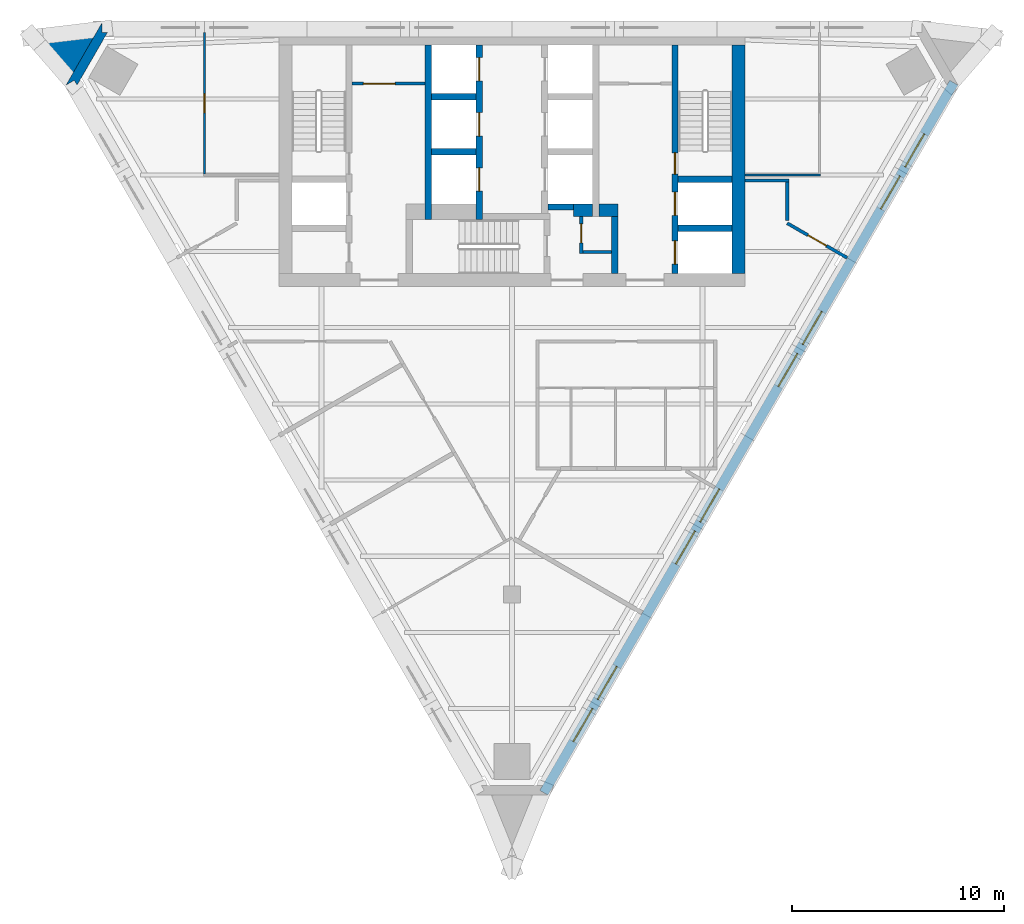
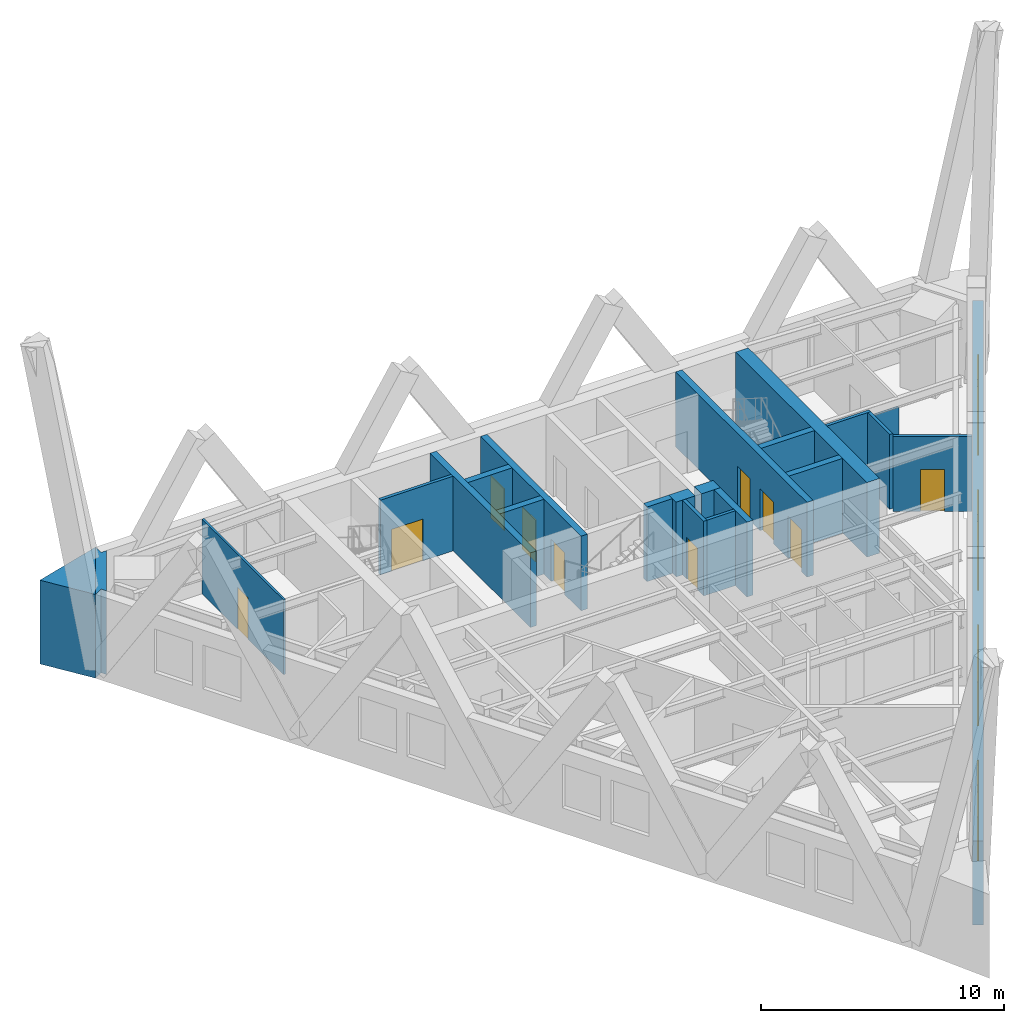
# One storey, part 4 of 6: 23 walls, 10 doors, 8 windows, 18 openings.
"""IFC4 building model written with IfcOpenShell, lengths in metres."""

from ifc_helpers import new_model, si_unit, direction, frame, frame_2d, origin, place, context, subcontext, project, spatial, polyline, rectangle, outline, extrude, material, layer, layer_set, type_object, element, fill, save


model = new_model("IFC4")

# Units and contexts
model_context = context("Model", 3, precision=1e-05, world=origin(), true_north=direction((0.0, 1.0)))
body_context = subcontext(model_context, "Body", "Model", "MODEL_VIEW")
ifc_project = project(units=[si_unit("LENGTHUNIT", "METRE"), si_unit("AREAUNIT", "SQUARE_METRE"), si_unit("VOLUMEUNIT", "CUBIC_METRE"), si_unit("PLANEANGLEUNIT", "RADIAN"), si_unit("MASSUNIT", "GRAM", prefix="KILO")], contexts=[model_context])

# Site, building, storey
site_placement = place(None, origin())
site = spatial("IfcSite", under=ifc_project, at=site_placement, CompositionType="ELEMENT")
building_placement = place(site_placement, origin())
building = spatial("IfcBuilding", under=site, at=building_placement, Name="Aloe Facet Convention Tower", CompositionType="ELEMENT")
storey_placement = place(building_placement, frame((0.0, 0.0, 180.199951171875)))
storey = spatial("IfcBuildingStorey", under=building, at=storey_placement, Name="L45", CompositionType="ELEMENT", Elevation=180.199951171875)

# Wall, opening, door
ifc_material_1 = material(Name="Concrete blockwork partition", Category="masonry")
ifc_layer_1 = layer(ifc_material_1, 0.14990234375)
ifc_layer_set_1 = layer_set([ifc_layer_1], Name="CR-W-PART150")
wall_type_1 = type_object("IfcWallType", Name="CR-W-PART150", PredefinedType="PARTITIONING", material=ifc_layer_set_1)
wall_1_placement = place(storey_placement, frame((72.449951171875, 132.125, 0.0), z_axis=(0.0, 0.0, 1.0), x_axis=(1.0, 0.0, 0.0)))
wall_1 = element("IfcWall", 1, at=wall_1_placement, inside=storey, type_object=wall_type_1, Name="Core partition L45-007", PredefinedType="PARTITIONING", context=body_context, shape_type="SweptSolid", body=[
    extrude(rectangle(XDim=3.449951171875, YDim=0.14990234375, at=frame_2d((1.72509765625, 0.0))), origin(), (0.0, 0.0, 1.0), 3.75),
])
opening_1_placement = place(wall_1_placement, frame((0.52490234375, 0.0, 0.0)))
opening_1 = element("IfcOpeningElement", 2, at=opening_1_placement, cuts=wall_1, Name="Opening L45-CD14", PredefinedType="OPENING", context=body_context, shape_type="SweptSolid", body=[
    extrude(rectangle(XDim=1.5, YDim=2.10009765625, at=frame_2d((0.75, 1.050048828125))), frame((0.0, 0.0849609375, 0.0), z_axis=(0.0, -1.0, 0.0), x_axis=(1.0, 0.0, 0.0)), (0.0, 0.0, 1.0), 0.169921875),
])
ifc_material_2 = material(Name="Steel fire-resisting door set FD60", Category="steel")
door_type_1 = type_object("IfcDoorType", Name="CR-D-REFUGE-1500-FD60-DD", OperationType="DOUBLE_DOOR_DOUBLE_SWING", PredefinedType="DOOR", material=ifc_material_2)
door_1_placement = place(opening_1_placement, origin())
door_1 = element("IfcDoor", 3, at=door_1_placement, inside=storey, type_object=door_type_1, Name="Core door L45-CD14", OperationType="DOUBLE_DOOR_DOUBLE_SWING", OverallHeight=2.10009765625, OverallWidth=1.5, PredefinedType="DOOR", context=body_context, shape_type="SweptSolid", body=[
    extrude(rectangle(XDim=1.5, YDim=2.10009765625, at=frame_2d((0.75, 1.050048828125))), frame((0.0, 0.02490234375, 0.0), z_axis=(0.0, -1.0, 0.0), x_axis=(1.0, 0.0, 0.0)), (0.0, 0.0, 1.0), 0.050048828125),
])
fill(opening_1, door_1)

wall_2_placement = place(storey_placement, frame((83.27490234375, 125.85009765625, 0.0), z_axis=(0.0, 0.0, 1.0), x_axis=(0.0, -1.0, 0.0)))
wall_2 = element("IfcWall", 4, at=wall_2_placement, inside=storey, type_object=wall_type_1, Name="Core partition L45-022", PredefinedType="PARTITIONING", context=body_context, shape_type="SweptSolid", body=[
    extrude(rectangle(XDim=1.75, YDim=0.14990234375, at=frame_2d((0.875, 0.0))), origin(), (0.0, 0.0, 1.0), 3.75),
])
opening_2_placement = place(wall_2_placement, frame((0.35009765625, 0.0, 0.0)))
opening_2 = element("IfcOpeningElement", 5, at=opening_2_placement, cuts=wall_2, Name="Opening L45-CD12", PredefinedType="OPENING", context=body_context, shape_type="SweptSolid", body=[
    extrude(rectangle(XDim=0.89990234375, YDim=2.10009765625, at=frame_2d((0.449951171875, 1.050048828125))), frame((0.0, 0.0849609375, 0.0), z_axis=(0.0, -1.0, 0.0), x_axis=(1.0, 0.0, 0.0)), (0.0, 0.0, 1.0), 0.169921875),
])
ifc_material_3 = material(Name="Steel fire-resisting door set FD60", Category="steel")
door_type_2 = type_object("IfcDoorType", Name="CR-D-REFUGE-900-FD60-SRIGHT", OperationType="SINGLE_SWING_RIGHT", PredefinedType="DOOR", material=ifc_material_3)
door_2_placement = place(opening_2_placement, origin())
door_2 = element("IfcDoor", 6, at=door_2_placement, inside=storey, type_object=door_type_2, Name="Core door L45-CD12", OperationType="SINGLE_SWING_RIGHT", OverallHeight=2.10009765625, OverallWidth=0.89990234375, PredefinedType="DOOR", context=body_context, shape_type="SweptSolid", body=[
    extrude(rectangle(XDim=0.89990234375, YDim=2.10009765625, at=frame_2d((0.449951171875, 1.050048828125))), frame((0.0, 0.02490234375, 0.0), z_axis=(0.0, -1.0, 0.0), x_axis=(1.0, 0.0, 0.0)), (0.0, 0.0, 1.0), 0.050048828125),
])
fill(opening_2, door_2)

# Walls
wall_3_placement = place(storey_placement, frame((83.35009765625, 124.175048828125, 0.0), z_axis=(0.0, 0.0, 1.0), x_axis=(1.0, 0.0, 0.0)))
element("IfcWall", 7, at=wall_3_placement, inside=storey, type_object=wall_type_1, Name="Core partition L45-023", PredefinedType="PARTITIONING", context=body_context, shape_type="SweptSolid", body=[
    extrude(rectangle(XDim=1.349853515625, YDim=0.14990234375, at=frame_2d((0.6748046875, 0.0))), origin(), (0.0, 0.0, 1.0), 3.75),
])
ifc_material_4 = material(Name="Concrete C50/60", Category="concrete")
ifc_layer_2 = layer(ifc_material_4, 0.300048828125)
ifc_layer_set_2 = layer_set([ifc_layer_2], Name="CR-W-RC300-C5060")
wall_type_2 = type_object("IfcWallType", Name="CR-W-RC300-C5060", PredefinedType="SOLIDWALL", material=ifc_layer_set_2)
wall_4_placement = place(storey_placement, frame((76.050048828125, 133.949951171875, 0.0), z_axis=(0.0, 0.0, 1.0), x_axis=(0.0, -1.0, 0.0)))
element("IfcWall", 8, at=wall_4_placement, inside=storey, type_object=wall_type_2, Name="Core wall L45-010", PredefinedType="SOLIDWALL", context=body_context, shape_type="SweptSolid", body=[
    extrude(rectangle(XDim=8.25, YDim=0.300048828125, at=frame_2d((4.125, 0.0))), origin(), (0.0, 0.0, 1.0), 3.75),
])
for number, where, z_axis, x_axis, name in (
    (9, (76.199951171875, 131.5, 0.0), (0.0, 0.0, 1.0), (1.0, 0.0, 0.0), "Core wall L45-011"),
    (10, (76.199951171875, 128.89990234375, 0.0), (0.0, 0.0, 1.0), (1.0, 0.0, 0.0), "Core wall L45-012"),
):
    element("IfcWall", number, at=place(storey_placement, frame(where, z_axis=z_axis, x_axis=x_axis)), inside=storey, type_object=wall_type_2, Name=name, PredefinedType="SOLIDWALL", context=body_context, shape_type="SweptSolid", body=[
        extrude(rectangle(XDim=2.10009765625, YDim=0.300048828125, at=frame_2d((1.050048828125, 0.0))), origin(), (0.0, 0.0, 1.0), 3.75),
    ])

# Wall, openings, doors
wall_5_placement = place(storey_placement, frame((78.449951171875, 133.949951171875, 0.0), z_axis=(0.0, 0.0, 1.0), x_axis=(0.0, -1.0, 0.0)))
wall_5 = element("IfcWall", 11, at=wall_5_placement, inside=storey, type_object=wall_type_2, Name="Core wall L45-014", PredefinedType="SOLIDWALL", context=body_context, shape_type="SweptSolid", body=[
    extrude(rectangle(XDim=8.25, YDim=0.300048828125, at=frame_2d((4.125, 0.0))), origin(), (0.0, 0.0, 1.0), 3.75),
])
opening_3_placement = place(wall_5_placement, frame((0.60009765625, 0.0, 0.0)))
opening_3 = element("IfcOpeningElement", 12, at=opening_3_placement, cuts=wall_5, Name="Opening LD-B1-L45", PredefinedType="OPENING", context=body_context, shape_type="SweptSolid", body=[
    extrude(rectangle(XDim=1.10009765625, YDim=2.10009765625, at=frame_2d((0.550048828125, 1.050048828125))), frame((0.0, 0.16015625, 0.0), z_axis=(0.0, -1.0, 0.0), x_axis=(1.0, 0.0, 0.0)), (0.0, 0.0, 1.0), 0.320068359375),
])
opening_4_placement = place(wall_5_placement, frame((3.199951171875, 0.0, 0.0)))
opening_4 = element("IfcOpeningElement", 13, at=opening_4_placement, cuts=wall_5, Name="Opening LD-B2-L45", PredefinedType="OPENING", context=body_context, shape_type="SweptSolid", body=[
    extrude(rectangle(XDim=1.10009765625, YDim=2.10009765625, at=frame_2d((0.550048828125, 1.050048828125))), frame((0.0, 0.16015625, 0.0), z_axis=(0.0, -1.0, 0.0), x_axis=(1.0, 0.0, 0.0)), (0.0, 0.0, 1.0), 0.320068359375),
])
opening_5_placement = place(wall_5_placement, frame((5.800048828125, 0.0, 0.0)))
opening_5 = element("IfcOpeningElement", 14, at=opening_5_placement, cuts=wall_5, Name="Opening LD-B3-L45", PredefinedType="OPENING", context=body_context, shape_type="SweptSolid", body=[
    extrude(rectangle(XDim=1.10009765625, YDim=2.10009765625, at=frame_2d((0.550048828125, 1.050048828125))), frame((0.0, 0.16015625, 0.0), z_axis=(0.0, -1.0, 0.0), x_axis=(1.0, 0.0, 0.0)), (0.0, 0.0, 1.0), 0.320068359375),
])
ifc_material_5 = material(Name="Stainless steel sliding landing door", Category="steel")
door_type_3 = type_object("IfcDoorType", Name="CR-LD-1100-FD60-RIGHT", OperationType="SLIDING_TO_RIGHT", PredefinedType="DOOR", material=ifc_material_5)
door_3_placement = place(opening_3_placement, origin())
door_3 = element("IfcDoor", 15, at=door_3_placement, inside=storey, type_object=door_type_3, Name="Landing door B1 L45", OperationType="SLIDING_TO_RIGHT", OverallHeight=2.10009765625, OverallWidth=1.10009765625, PredefinedType="DOOR", context=body_context, shape_type="SweptSolid", body=[
    extrude(rectangle(XDim=1.10009765625, YDim=2.10009765625, at=frame_2d((0.550048828125, 1.050048828125))), frame((0.0, 0.02490234375, 0.0), z_axis=(0.0, -1.0, 0.0), x_axis=(1.0, 0.0, 0.0)), (0.0, 0.0, 1.0), 0.050048828125),
])
fill(opening_3, door_3)
door_4_placement = place(opening_4_placement, origin())
door_4 = element("IfcDoor", 16, at=door_4_placement, inside=storey, type_object=door_type_3, Name="Landing door B2 L45", OperationType="SLIDING_TO_RIGHT", OverallHeight=2.10009765625, OverallWidth=1.10009765625, PredefinedType="DOOR", context=body_context, shape_type="SweptSolid", body=[
    extrude(rectangle(XDim=1.10009765625, YDim=2.10009765625, at=frame_2d((0.550048828125, 1.050048828125))), frame((0.0, 0.02490234375, 0.0), z_axis=(0.0, -1.0, 0.0), x_axis=(1.0, 0.0, 0.0)), (0.0, 0.0, 1.0), 0.050048828125),
])
fill(opening_4, door_4)
door_5_placement = place(opening_5_placement, origin())
door_5 = element("IfcDoor", 17, at=door_5_placement, inside=storey, type_object=door_type_3, Name="Landing door B3 L45", OperationType="SLIDING_TO_RIGHT", OverallHeight=2.10009765625, OverallWidth=1.10009765625, PredefinedType="DOOR", context=body_context, shape_type="SweptSolid", body=[
    extrude(rectangle(XDim=1.10009765625, YDim=2.10009765625, at=frame_2d((0.550048828125, 1.050048828125))), frame((0.0, 0.02490234375, 0.0), z_axis=(0.0, -1.0, 0.0), x_axis=(1.0, 0.0, 0.0)), (0.0, 0.0, 1.0), 0.050048828125),
])
fill(opening_5, door_5)

# Walls
wall_6_placement = place(storey_placement, frame((81.699951171875, 126.300048828125, 0.0), z_axis=(0.0, 0.0, 1.0), x_axis=(1.0, 0.0, 0.0)))
element("IfcWall", 18, at=wall_6_placement, inside=storey, type_object=wall_type_2, Name="Core wall L45-020", PredefinedType="SOLIDWALL", context=body_context, shape_type="SweptSolid", body=[
    extrude(rectangle(XDim=1.199951171875, YDim=0.300048828125, at=frame_2d((0.60009765625, 0.0))), origin(), (0.0, 0.0, 1.0), 3.75),
])
wall_7_placement = place(storey_placement, frame((84.85009765625, 125.85009765625, 0.0), z_axis=(0.0, 0.0, 1.0), x_axis=(0.0, -1.0, 0.0)))
element("IfcWall", 19, at=wall_7_placement, inside=storey, type_object=wall_type_2, Name="Core wall L45-027", PredefinedType="SOLIDWALL", context=body_context, shape_type="SweptSolid", body=[
    extrude(rectangle(XDim=2.7001953125, YDim=0.300048828125, at=frame_2d((1.35009765625, 0.0))), origin(), (0.0, 0.0, 1.0), 3.75),
])

# Wall, openings, doors
wall_8_placement = place(storey_placement, frame((87.699951171875, 133.949951171875, 0.0), z_axis=(0.0, 0.0, 1.0), x_axis=(0.0, -1.0, 0.0)))
wall_8 = element("IfcWall", 20, at=wall_8_placement, inside=storey, type_object=wall_type_2, Name="Core wall L45-028", PredefinedType="SOLIDWALL", context=body_context, shape_type="SweptSolid", body=[
    extrude(rectangle(XDim=10.800048828125, YDim=0.300048828125, at=frame_2d((5.39990234375, 0.0))), origin(), (0.0, 0.0, 1.0), 3.75),
])
opening_6_placement = place(wall_8_placement, frame((6.949951171875, 0.0, 0.0)))
opening_6 = element("IfcOpeningElement", 21, at=opening_6_placement, cuts=wall_8, Name="Opening LD-FF2-L45", PredefinedType="OPENING", context=body_context, shape_type="SweptSolid", body=[
    extrude(rectangle(XDim=1.10009765625, YDim=2.10009765625, at=frame_2d((0.550048828125, 1.050048828125))), frame((0.0, 0.16015625, 0.0), z_axis=(0.0, -1.0, 0.0), x_axis=(1.0, 0.0, 0.0)), (0.0, 0.0, 1.0), 0.320068359375),
])
opening_7_placement = place(wall_8_placement, frame((5.10009765625, 0.0, 0.0)))
opening_7 = element("IfcOpeningElement", 22, at=opening_7_placement, cuts=wall_8, Name="Opening L45-CD17", PredefinedType="OPENING", context=body_context, shape_type="SweptSolid", body=[
    extrude(rectangle(XDim=1.0, YDim=2.10009765625, at=frame_2d((0.5, 1.050048828125))), frame((0.0, 0.16015625, 0.0), z_axis=(0.0, -1.0, 0.0), x_axis=(1.0, 0.0, 0.0)), (0.0, 0.0, 1.0), 0.320068359375),
])
opening_8_placement = place(wall_8_placement, frame((9.25, 0.0, 0.0)))
opening_8 = element("IfcOpeningElement", 23, at=opening_8_placement, cuts=wall_8, Name="Opening LD-SV1-L45", PredefinedType="OPENING", context=body_context, shape_type="SweptSolid", body=[
    extrude(rectangle(XDim=1.10009765625, YDim=2.10009765625, at=frame_2d((0.550048828125, 1.050048828125))), frame((0.0, 0.16015625, 0.0), z_axis=(0.0, -1.0, 0.0), x_axis=(1.0, 0.0, 0.0)), (0.0, 0.0, 1.0), 0.320068359375),
])
ifc_material_6 = material(Name="Steel fire-resisting door set FD120", Category="steel")
door_type_4 = type_object("IfcDoorType", Name="CR-D-STAIR-1000-FD120-SLEFT", OperationType="SINGLE_SWING_LEFT", PredefinedType="DOOR", material=ifc_material_6)
door_6_placement = place(opening_7_placement, origin())
door_6 = element("IfcDoor", 24, at=door_6_placement, inside=storey, type_object=door_type_4, Name="Core door L45-CD17", OperationType="SINGLE_SWING_LEFT", OverallHeight=2.10009765625, OverallWidth=1.0, PredefinedType="DOOR", context=body_context, shape_type="SweptSolid", body=[
    extrude(rectangle(XDim=1.0, YDim=2.10009765625, at=frame_2d((0.5, 1.050048828125))), frame((0.0, 0.02490234375, 0.0), z_axis=(0.0, -1.0, 0.0), x_axis=(1.0, 0.0, 0.0)), (0.0, 0.0, 1.0), 0.050048828125),
])
fill(opening_7, door_6)
ifc_material_7 = material(Name="Stainless steel sliding landing door", Category="steel")
door_type_5 = type_object("IfcDoorType", Name="CR-LD-1100-FD120-_LEFT", OperationType="SLIDING_TO_LEFT", PredefinedType="DOOR", material=ifc_material_7)
door_7_placement = place(opening_6_placement, origin())
door_7 = element("IfcDoor", 25, at=door_7_placement, inside=storey, type_object=door_type_5, Name="Landing door FF2 L45", OperationType="SLIDING_TO_LEFT", OverallHeight=2.10009765625, OverallWidth=1.10009765625, PredefinedType="DOOR", context=body_context, shape_type="SweptSolid", body=[
    extrude(rectangle(XDim=1.10009765625, YDim=2.10009765625, at=frame_2d((0.550048828125, 1.050048828125))), frame((0.0, 0.02490234375, 0.0), z_axis=(0.0, -1.0, 0.0), x_axis=(1.0, 0.0, 0.0)), (0.0, 0.0, 1.0), 0.050048828125),
])
fill(opening_6, door_7)
door_8_placement = place(opening_8_placement, origin())
door_8 = element("IfcDoor", 26, at=door_8_placement, inside=storey, type_object=door_type_5, Name="Landing door SV1 L45", OperationType="SLIDING_TO_LEFT", OverallHeight=2.10009765625, OverallWidth=1.10009765625, PredefinedType="DOOR", context=body_context, shape_type="SweptSolid", body=[
    extrude(rectangle(XDim=1.10009765625, YDim=2.10009765625, at=frame_2d((0.550048828125, 1.050048828125))), frame((0.0, 0.02490234375, 0.0), z_axis=(0.0, -1.0, 0.0), x_axis=(1.0, 0.0, 0.0)), (0.0, 0.0, 1.0), 0.050048828125),
])
fill(opening_8, door_8)

# Walls
for number, where, z_axis, x_axis, name in (
    (27, (87.85009765625, 127.60009765625, 0.0), (0.0, 0.0, 1.0), (1.0, 0.0, 0.0), "Core wall L45-029"),
    (28, (87.85009765625, 125.300048828125, 0.0), (0.0, 0.0, 1.0), (1.0, 0.0, 0.0), "Core wall L45-030"),
):
    element("IfcWall", number, at=place(storey_placement, frame(where, z_axis=z_axis, x_axis=x_axis)), inside=storey, type_object=wall_type_2, Name=name, PredefinedType="SOLIDWALL", context=body_context, shape_type="SweptSolid", body=[
        extrude(rectangle(XDim=2.5498046875, YDim=0.300048828125, at=frame_2d((1.27490234375, 0.0))), origin(), (0.0, 0.0, 1.0), 3.75),
    ])
ifc_material_8 = material(Name="Concrete C50/60", Category="concrete")
ifc_layer_3 = layer(ifc_material_8, 0.60009765625)
ifc_layer_set_3 = layer_set([ifc_layer_3], Name="CR-W-RC600-C5060")
wall_type_3 = type_object("IfcWallType", Name="CR-W-RC600-C5060", PredefinedType="SOLIDWALL", material=ifc_layer_set_3)
wall_9_placement = place(storey_placement, frame((82.89990234375, 126.14990234375, 0.0), z_axis=(0.0, 0.0, 1.0), x_axis=(1.0, 0.0, 0.0)))
element("IfcWall", 29, at=wall_9_placement, inside=storey, type_object=wall_type_3, Name="Core wall L45-021", PredefinedType="SOLIDWALL", context=body_context, shape_type="SweptSolid", body=[
    extrude(rectangle(XDim=0.900146484375, YDim=0.60009765625, at=frame_2d((0.4501953125, 0.0))), origin(), (0.0, 0.0, 1.0), 3.75),
])
wall_10_placement = place(storey_placement, frame((84.10009765625, 126.14990234375, 0.0), z_axis=(0.0, 0.0, 1.0), x_axis=(1.0, 0.0, 0.0)))
element("IfcWall", 30, at=wall_10_placement, inside=storey, type_object=wall_type_3, Name="Core wall L45-026", PredefinedType="SOLIDWALL", context=body_context, shape_type="SweptSolid", body=[
    extrude(rectangle(XDim=0.89990234375, YDim=0.60009765625, at=frame_2d((0.449951171875, 0.0))), origin(), (0.0, 0.0, 1.0), 3.75),
])
wall_11_placement = place(storey_placement, frame((90.699951171875, 133.949951171875, 0.0), z_axis=(0.0, 0.0, 1.0), x_axis=(0.0, -1.0, 0.0)))
element("IfcWall", 31, at=wall_11_placement, inside=storey, type_object=wall_type_3, Name="Core wall L45-031", PredefinedType="SOLIDWALL", context=body_context, shape_type="SweptSolid", body=[
    extrude(rectangle(XDim=10.800048828125, YDim=0.60009765625, at=frame_2d((5.39990234375, 0.0))), origin(), (0.0, 0.0, 1.0), 3.75),
])
ifc_material_9 = material(Name="Precast concrete C40/50", Category="concrete")
ifc_layer_4 = layer(ifc_material_9, 0.449951171875)
ifc_layer_set_4 = layer_set([ifc_layer_4], Name="EV-WALL-PIER")
wall_type_4 = type_object("IfcWallType", Name="EV-WALL-PIER", PredefinedType="SOLIDWALL", material=ifc_layer_set_4)
wall_12_placement = place(storey_placement, frame((0.0, 0.0, -0.449951171875)))
element("IfcWall", 32, at=wall_12_placement, inside=storey, type_object=wall_type_4, Name="EP-L45-A", PredefinedType="SOLIDWALL", context=body_context, shape_type="SweptSolid", body=[
    extrude(outline(polyline([(60.635498046875, 135.0), (60.635498046875, 134.550048828125), (60.895263671875, 134.550048828125), (59.455078125, 132.055419921875), (59.3251953125, 132.280517578125), (58.935302734375, 132.055419921875), (60.635498046875, 135.0)])), origin(), (0.0, 0.0, 1.0), 4.199951171875),
])
ifc_material_10 = material(Name="Precast concrete C40/50", Category="concrete")
ifc_layer_5 = layer(ifc_material_10, 3.947998046875)
ifc_layer_set_5 = layer_set([ifc_layer_5], Name="EV-WALL-SPINE")
wall_type_5 = type_object("IfcWallType", Name="EV-WALL-SPINE", PredefinedType="SOLIDWALL", material=ifc_layer_set_5)
wall_13_placement = place(storey_placement, frame((0.0, 0.0, -0.449951171875)))
element("IfcWall", 33, at=wall_13_placement, inside=storey, type_object=wall_type_5, Name="SP-NW-L45", PredefinedType="SOLIDWALL", context=body_context, shape_type="SweptSolid", body=[
    extrude(outline(polyline([(60.635498046875, 135.0), (57.466064453125, 134.08642578125), (58.935302734375, 132.055419921875), (60.635498046875, 135.0)])), origin(), (0.0, 0.0, 1.0), 4.199951171875),
])

# Wall, openings, windows
ifc_material_11 = material(Name="Precast concrete C40/50", Category="concrete")
ifc_layer_6 = layer(ifc_material_11, 0.449951171875)
ifc_layer_set_6 = layer_set([ifc_layer_6], Name="EV-WALL-STONE")
wall_type_6 = type_object("IfcWallType", Name="EV-WALL-STONE", PredefinedType="SOLIDWALL", material=ifc_layer_set_6)
wall_14_placement = place(storey_placement, frame((81.505126953125, 98.62744140625, -0.449951171875), z_axis=(0.0, 0.0, 1.0), x_axis=(0.500002199942, 0.866024133644, 0.0)))
wall_14 = element("IfcWall", 34, at=wall_14_placement, inside=storey, type_object=wall_type_6, Name="EW-L45-E01", PredefinedType="SOLIDWALL", context=body_context, shape_type="SweptSolid", body=[
    extrude(outline(polyline([(38.729248046875, 0.0), (38.729248046875, 4.199951171875), (0.0, 4.199951171875), (0.0, 0.0), (38.729248046875, 0.0)])), frame((0.0, 0.22509765625, 0.0), z_axis=(0.0, -1.0, 0.0), x_axis=(1.0, 0.0, 0.0)), (0.0, 0.0, 1.0), 0.449951171875),
])
opening_9_placement = place(wall_14_placement, frame((2.791259765625, 0.0, 1.25)))
opening_9 = element("IfcOpeningElement", 35, at=opening_9_placement, cuts=wall_14, Name="Opening W-L45-E01", PredefinedType="OPENING", context=body_context, shape_type="SweptSolid", body=[
    extrude(rectangle(XDim=1.800048828125, YDim=2.199951171875, at=frame_2d((0.89990234375, 1.10009765625))), frame((0.0, 0.23486328125, 0.0), z_axis=(0.0, -1.0, 0.0), x_axis=(1.0, 0.0, 0.0)), (0.0, 0.0, 1.0), 0.469970703125),
])
opening_10_placement = place(wall_14_placement, frame((5.091064453125, 0.0, 1.25)))
opening_10 = element("IfcOpeningElement", 36, at=opening_10_placement, cuts=wall_14, Name="Opening W-L45-E02", PredefinedType="OPENING", context=body_context, shape_type="SweptSolid", body=[
    extrude(rectangle(XDim=1.800048828125, YDim=2.199951171875, at=frame_2d((0.89990234375, 1.10009765625))), frame((0.0, 0.23486328125, 0.0), z_axis=(0.0, -1.0, 0.0), x_axis=(1.0, 0.0, 0.0)), (0.0, 0.0, 1.0), 0.469970703125),
])
opening_11_placement = place(wall_14_placement, frame((12.473388671875, 0.0, 1.25)))
opening_11 = element("IfcOpeningElement", 37, at=opening_11_placement, cuts=wall_14, Name="Opening W-L45-E03", PredefinedType="OPENING", context=body_context, shape_type="SweptSolid", body=[
    extrude(rectangle(XDim=1.800048828125, YDim=2.199951171875, at=frame_2d((0.89990234375, 1.10009765625))), frame((0.0, 0.23486328125, 0.0), z_axis=(0.0, -1.0, 0.0), x_axis=(1.0, 0.0, 0.0)), (0.0, 0.0, 1.0), 0.469970703125),
])
opening_12_placement = place(wall_14_placement, frame((14.7734375, 0.0, 1.25)))
opening_12 = element("IfcOpeningElement", 38, at=opening_12_placement, cuts=wall_14, Name="Opening W-L45-E04", PredefinedType="OPENING", context=body_context, shape_type="SweptSolid", body=[
    extrude(rectangle(XDim=1.800048828125, YDim=2.199951171875, at=frame_2d((0.89990234375, 1.10009765625))), frame((0.0, 0.23486328125, 0.0), z_axis=(0.0, -1.0, 0.0), x_axis=(1.0, 0.0, 0.0)), (0.0, 0.0, 1.0), 0.469970703125),
])
opening_13_placement = place(wall_14_placement, frame((22.15576171875, 0.0, 1.25)))
opening_13 = element("IfcOpeningElement", 39, at=opening_13_placement, cuts=wall_14, Name="Opening W-L45-E05", PredefinedType="OPENING", context=body_context, shape_type="SweptSolid", body=[
    extrude(rectangle(XDim=1.800048828125, YDim=2.199951171875, at=frame_2d((0.89990234375, 1.10009765625))), frame((0.0, 0.23486328125, 0.0), z_axis=(0.0, -1.0, 0.0), x_axis=(1.0, 0.0, 0.0)), (0.0, 0.0, 1.0), 0.469970703125),
])
opening_14_placement = place(wall_14_placement, frame((24.455810546875, 0.0, 1.25)))
opening_14 = element("IfcOpeningElement", 40, at=opening_14_placement, cuts=wall_14, Name="Opening W-L45-E06", PredefinedType="OPENING", context=body_context, shape_type="SweptSolid", body=[
    extrude(rectangle(XDim=1.800048828125, YDim=2.199951171875, at=frame_2d((0.89990234375, 1.10009765625))), frame((0.0, 0.23486328125, 0.0), z_axis=(0.0, -1.0, 0.0), x_axis=(1.0, 0.0, 0.0)), (0.0, 0.0, 1.0), 0.469970703125),
])
opening_15_placement = place(wall_14_placement, frame((31.838134765625, 0.0, 1.25)))
opening_15 = element("IfcOpeningElement", 41, at=opening_15_placement, cuts=wall_14, Name="Opening W-L45-E07", PredefinedType="OPENING", context=body_context, shape_type="SweptSolid", body=[
    extrude(rectangle(XDim=1.800048828125, YDim=2.199951171875, at=frame_2d((0.89990234375, 1.10009765625))), frame((0.0, 0.23486328125, 0.0), z_axis=(0.0, -1.0, 0.0), x_axis=(1.0, 0.0, 0.0)), (0.0, 0.0, 1.0), 0.469970703125),
])
opening_16_placement = place(wall_14_placement, frame((34.13818359375, 0.0, 1.25)))
opening_16 = element("IfcOpeningElement", 42, at=opening_16_placement, cuts=wall_14, Name="Opening W-L45-E08", PredefinedType="OPENING", context=body_context, shape_type="SweptSolid", body=[
    extrude(rectangle(XDim=1.800048828125, YDim=2.199951171875, at=frame_2d((0.89990234375, 1.10009765625))), frame((0.0, 0.23486328125, 0.0), z_axis=(0.0, -1.0, 0.0), x_axis=(1.0, 0.0, 0.0)), (0.0, 0.0, 1.0), 0.469970703125),
])
ifc_material_12 = material(Name="Aluminium frame, clear double glazing", Category="aluminium")
window_type = type_object("IfcWindowType", Name="EV-WIN-O18", PartitioningType="SINGLE_PANEL", PredefinedType="WINDOW", material=ifc_material_12)
window_1_placement = place(opening_9_placement, origin())
window_1 = element("IfcWindow", 43, at=window_1_placement, inside=storey, type_object=window_type, Name="W-L45-E01", OverallHeight=2.199951171875, OverallWidth=1.800048828125, PartitioningType="SINGLE_PANEL", PredefinedType="WINDOW", context=body_context, shape_type="SweptSolid", body=[
    extrude(rectangle(XDim=1.800048828125, YDim=2.199951171875, at=frame_2d((0.89990234375, 1.10009765625))), frame((0.0, 0.030029296875, 0.0), z_axis=(0.0, -1.0, 0.0), x_axis=(1.0, 0.0, 0.0)), (0.0, 0.0, 1.0), 0.06005859375),
])
fill(opening_9, window_1)
window_2_placement = place(opening_10_placement, origin())
window_2 = element("IfcWindow", 44, at=window_2_placement, inside=storey, type_object=window_type, Name="W-L45-E02", OverallHeight=2.199951171875, OverallWidth=1.800048828125, PartitioningType="SINGLE_PANEL", PredefinedType="WINDOW", context=body_context, shape_type="SweptSolid", body=[
    extrude(rectangle(XDim=1.800048828125, YDim=2.199951171875, at=frame_2d((0.89990234375, 1.10009765625))), frame((0.0, 0.030029296875, 0.0), z_axis=(0.0, -1.0, 0.0), x_axis=(1.0, 0.0, 0.0)), (0.0, 0.0, 1.0), 0.06005859375),
])
fill(opening_10, window_2)
window_3_placement = place(opening_11_placement, origin())
window_3 = element("IfcWindow", 45, at=window_3_placement, inside=storey, type_object=window_type, Name="W-L45-E03", OverallHeight=2.199951171875, OverallWidth=1.800048828125, PartitioningType="SINGLE_PANEL", PredefinedType="WINDOW", context=body_context, shape_type="SweptSolid", body=[
    extrude(rectangle(XDim=1.800048828125, YDim=2.199951171875, at=frame_2d((0.89990234375, 1.10009765625))), frame((0.0, 0.030029296875, 0.0), z_axis=(0.0, -1.0, 0.0), x_axis=(1.0, 0.0, 0.0)), (0.0, 0.0, 1.0), 0.06005859375),
])
fill(opening_11, window_3)
window_4_placement = place(opening_12_placement, origin())
window_4 = element("IfcWindow", 46, at=window_4_placement, inside=storey, type_object=window_type, Name="W-L45-E04", OverallHeight=2.199951171875, OverallWidth=1.800048828125, PartitioningType="SINGLE_PANEL", PredefinedType="WINDOW", context=body_context, shape_type="SweptSolid", body=[
    extrude(rectangle(XDim=1.800048828125, YDim=2.199951171875, at=frame_2d((0.89990234375, 1.10009765625))), frame((0.0, 0.030029296875, 0.0), z_axis=(0.0, -1.0, 0.0), x_axis=(1.0, 0.0, 0.0)), (0.0, 0.0, 1.0), 0.06005859375),
])
fill(opening_12, window_4)
window_5_placement = place(opening_13_placement, origin())
window_5 = element("IfcWindow", 47, at=window_5_placement, inside=storey, type_object=window_type, Name="W-L45-E05", OverallHeight=2.199951171875, OverallWidth=1.800048828125, PartitioningType="SINGLE_PANEL", PredefinedType="WINDOW", context=body_context, shape_type="SweptSolid", body=[
    extrude(rectangle(XDim=1.800048828125, YDim=2.199951171875, at=frame_2d((0.89990234375, 1.10009765625))), frame((0.0, 0.030029296875, 0.0), z_axis=(0.0, -1.0, 0.0), x_axis=(1.0, 0.0, 0.0)), (0.0, 0.0, 1.0), 0.06005859375),
])
fill(opening_13, window_5)
window_6_placement = place(opening_14_placement, origin())
window_6 = element("IfcWindow", 48, at=window_6_placement, inside=storey, type_object=window_type, Name="W-L45-E06", OverallHeight=2.199951171875, OverallWidth=1.800048828125, PartitioningType="SINGLE_PANEL", PredefinedType="WINDOW", context=body_context, shape_type="SweptSolid", body=[
    extrude(rectangle(XDim=1.800048828125, YDim=2.199951171875, at=frame_2d((0.89990234375, 1.10009765625))), frame((0.0, 0.030029296875, 0.0), z_axis=(0.0, -1.0, 0.0), x_axis=(1.0, 0.0, 0.0)), (0.0, 0.0, 1.0), 0.06005859375),
])
fill(opening_14, window_6)
window_7_placement = place(opening_15_placement, origin())
window_7 = element("IfcWindow", 49, at=window_7_placement, inside=storey, type_object=window_type, Name="W-L45-E07", OverallHeight=2.199951171875, OverallWidth=1.800048828125, PartitioningType="SINGLE_PANEL", PredefinedType="WINDOW", context=body_context, shape_type="SweptSolid", body=[
    extrude(rectangle(XDim=1.800048828125, YDim=2.199951171875, at=frame_2d((0.89990234375, 1.10009765625))), frame((0.0, 0.030029296875, 0.0), z_axis=(0.0, -1.0, 0.0), x_axis=(1.0, 0.0, 0.0)), (0.0, 0.0, 1.0), 0.06005859375),
])
fill(opening_15, window_7)
window_8_placement = place(opening_16_placement, origin())
window_8 = element("IfcWindow", 50, at=window_8_placement, inside=storey, type_object=window_type, Name="W-L45-E08", OverallHeight=2.199951171875, OverallWidth=1.800048828125, PartitioningType="SINGLE_PANEL", PredefinedType="WINDOW", context=body_context, shape_type="SweptSolid", body=[
    extrude(rectangle(XDim=1.800048828125, YDim=2.199951171875, at=frame_2d((0.89990234375, 1.10009765625))), frame((0.0, 0.030029296875, 0.0), z_axis=(0.0, -1.0, 0.0), x_axis=(1.0, 0.0, 0.0)), (0.0, 0.0, 1.0), 0.06005859375),
])
fill(opening_16, window_8)

# Wall, opening, door
ifc_material_13 = material(Name="Gypsum board partition on steel studs", Category="steel")
ifc_layer_7 = layer(ifc_material_13, 0.14990234375)
ifc_layer_set_7 = layer_set([ifc_layer_7], Name="IN-W-CORR")
wall_type_7 = type_object("IfcWallType", Name="IN-W-CORR", PredefinedType="PARTITIONING", material=ifc_layer_set_7)
wall_15_placement = place(storey_placement, frame((93.0009765625, 125.53076171875, 0.0), z_axis=(0.0, 0.0, 1.0), x_axis=(0.866032230194, -0.499988176125, 0.0)))
wall_15 = element("IfcWall", 51, at=wall_15_placement, inside=storey, type_object=wall_type_7, Name="Partition L45-W036", PredefinedType="PARTITIONING", context=body_context, shape_type="SweptSolid", body=[
    extrude(rectangle(XDim=3.2607421875, YDim=0.14990234375, at=frame_2d((1.63037109375, 0.0))), origin(), (0.0, 0.0, 1.0), 3.75),
])
opening_17_placement = place(wall_15_placement, frame((1.13037109375, 0.0, 0.0)))
opening_17 = element("IfcOpeningElement", 52, at=opening_17_placement, cuts=wall_15, Name="Opening L45-013", PredefinedType="OPENING", context=body_context, shape_type="SweptSolid", body=[
    extrude(rectangle(XDim=1.0, YDim=2.10009765625, at=frame_2d((0.5, 1.050048828125))), frame((0.0, 0.0849609375, 0.0), z_axis=(0.0, -1.0, 0.0), x_axis=(1.0, 0.0, 0.0)), (0.0, 0.0, 1.0), 0.169921875),
])
ifc_material_14 = material(Name="Timber door FD30S with vision panel", Category="wood")
door_type_6 = type_object("IfcDoorType", Name="IN-OFF-D-ENTRY", OperationType="SINGLE_SWING_LEFT", PredefinedType="DOOR", material=ifc_material_14)
door_9_placement = place(opening_17_placement, origin())
door_9 = element("IfcDoor", 53, at=door_9_placement, inside=storey, type_object=door_type_6, Name="Door L45-013", OperationType="SINGLE_SWING_LEFT", OverallHeight=2.10009765625, OverallWidth=1.0, PredefinedType="DOOR", context=body_context, shape_type="SweptSolid", body=[
    extrude(rectangle(XDim=1.0, YDim=2.10009765625, at=frame_2d((0.5, 1.050048828125))), frame((0.0, 0.02490234375, 0.0), z_axis=(0.0, -1.0, 0.0), x_axis=(1.0, 0.0, 0.0)), (0.0, 0.0, 1.0), 0.050048828125),
])
fill(opening_17, door_9)

# Walls
wall_16_placement = place(storey_placement, frame((91.0, 127.550048828125, 0.0), z_axis=(0.0, 0.0, 1.0), x_axis=(1.0, 0.0, 0.0)))
element("IfcWall", 54, at=wall_16_placement, inside=storey, type_object=wall_type_7, Name="Partition L45-W039", PredefinedType="PARTITIONING", context=body_context, shape_type="SweptSolid", body=[
    extrude(rectangle(XDim=2.074951171875, YDim=0.14990234375, at=frame_2d((1.03759765625, 0.0))), origin(), (0.0, 0.0, 1.0), 3.75),
])
wall_17_placement = place(storey_placement, frame((93.0009765625, 125.660888671875, 0.0), z_axis=(0.0, 0.0, 1.0), x_axis=(-0.000538285483, 0.999999855124, 0.0)))
element("IfcWall", 55, at=wall_17_placement, inside=storey, type_object=wall_type_7, Name="Partition L45-W040", PredefinedType="PARTITIONING", context=body_context, shape_type="SweptSolid", body=[
    extrude(rectangle(XDim=1.814208984375, YDim=0.14990234375, at=frame_2d((0.9072265625, 0.0))), origin(), (0.0, 0.0, 1.0), 3.75),
])
ifc_material_15 = material(Name="Gypsum board partition on steel studs", Category="steel")
ifc_layer_8 = layer(ifc_material_15, 0.10009765625)
ifc_layer_set_8 = layer_set([ifc_layer_8], Name="IN-W-PART")
wall_type_8 = type_object("IfcWallType", Name="IN-W-PART", PredefinedType="PARTITIONING", material=ifc_layer_set_8)
wall_18_placement = place(storey_placement, frame((91.0, 127.800048828125, 0.0), z_axis=(0.0, 0.0, 1.0), x_axis=(1.0, 0.0, 0.0)))
element("IfcWall", 56, at=wall_18_placement, inside=storey, type_object=wall_type_8, Name="Partition L45-W042", PredefinedType="PARTITIONING", context=body_context, shape_type="SweptSolid", body=[
    extrude(rectangle(XDim=3.571533203125, YDim=0.10009765625, at=frame_2d((1.78564453125, 0.0))), origin(), (0.0, 0.0, 1.0), 3.280029296875),
])

# Wall, opening, door
wall_19_placement = place(storey_placement, frame((65.4736328125, 134.550048828125, 0.0), z_axis=(0.0, 0.0, 1.0), x_axis=(0.000728783103, -0.999999734438, 0.0)))
wall_19 = element("IfcWall", 57, at=wall_19_placement, inside=storey, type_object=wall_type_8, Name="Partition L45-W044", PredefinedType="PARTITIONING", context=body_context, shape_type="SweptSolid", body=[
    extrude(rectangle(XDim=6.699951171875, YDim=0.10009765625, at=frame_2d((3.35009765625, 0.0))), origin(), (0.0, 0.0, 1.0), 3.75),
])
opening_18_placement = place(wall_19_placement, frame((2.89990234375, 0.0, 0.0)))
opening_18 = element("IfcOpeningElement", 58, at=opening_18_placement, cuts=wall_19, Name="Opening L45-007", PredefinedType="OPENING", context=body_context, shape_type="SweptSolid", body=[
    extrude(rectangle(XDim=0.89990234375, YDim=2.10009765625, at=frame_2d((0.449951171875, 1.050048828125))), frame((0.0, 0.06005859375, 0.0), z_axis=(0.0, -1.0, 0.0), x_axis=(1.0, 0.0, 0.0)), (0.0, 0.0, 1.0), 0.1201171875),
])
ifc_material_16 = material(Name="Timber door", Category="wood")
door_type_7 = type_object("IfcDoorType", Name="IN-OFF-D-ROOM", OperationType="SINGLE_SWING_LEFT", PredefinedType="DOOR", material=ifc_material_16)
door_10_placement = place(opening_18_placement, origin())
door_10 = element("IfcDoor", 59, at=door_10_placement, inside=storey, type_object=door_type_7, Name="Door L45-007", OperationType="SINGLE_SWING_LEFT", OverallHeight=2.10009765625, OverallWidth=0.89990234375, PredefinedType="DOOR", context=body_context, shape_type="SweptSolid", body=[
    extrude(rectangle(XDim=0.89990234375, YDim=2.10009765625, at=frame_2d((0.449951171875, 1.050048828125))), frame((0.0, 0.02490234375, 0.0), z_axis=(0.0, -1.0, 0.0), x_axis=(1.0, 0.0, 0.0)), (0.0, 0.0, 1.0), 0.050048828125),
])
fill(opening_18, door_10)

save(model, "model.ifc")
